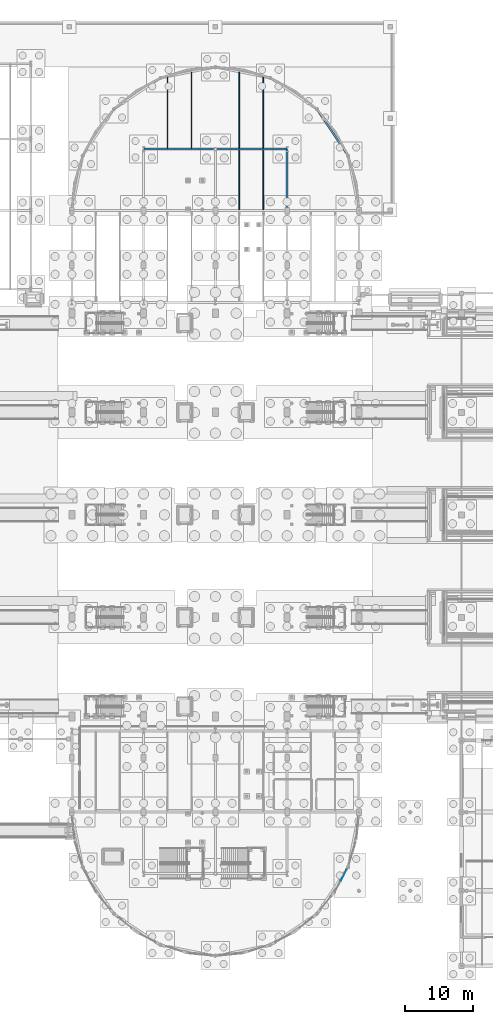
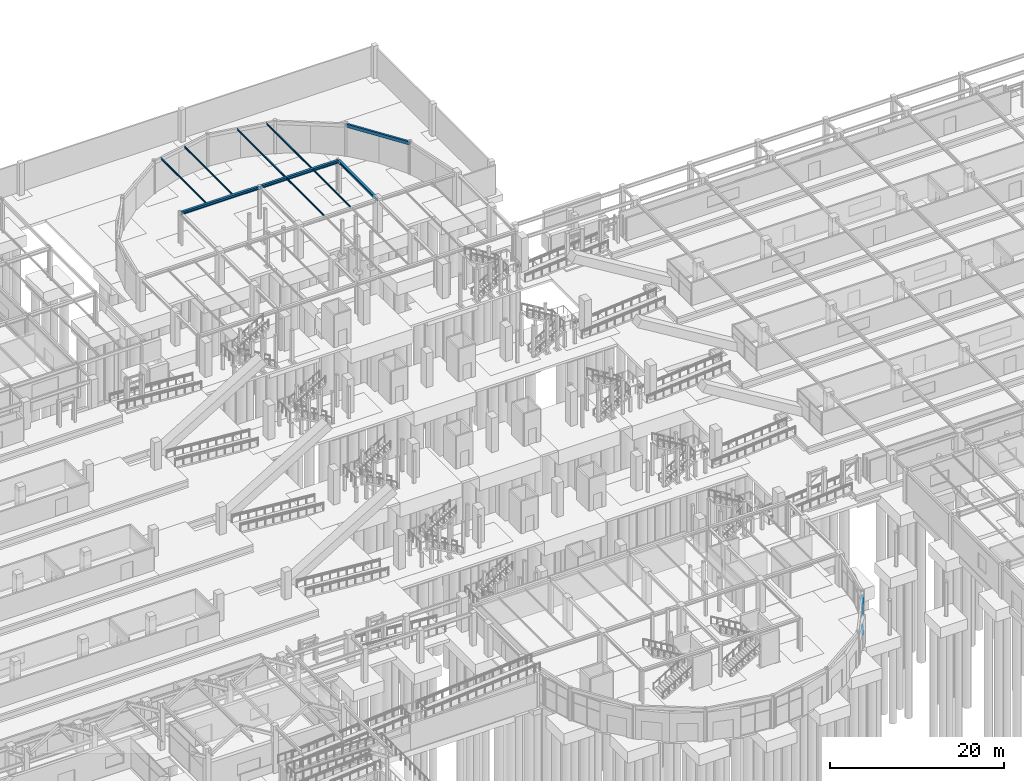
# One storey, part 76 of 160: 10 beams, 3 members, 1 element without a shape of its own.
"""IFC4 building model written with IfcOpenShell, lengths in metres."""

from ifc_helpers import new_model, si_unit, direction, frame, origin, origin_2d, place, context, subcontext, project, spatial, hollow_rectangle, i_section, extrude, material, layer, layer_set, material_profile, profile_set, type_object, element, aggregate, save


model = new_model("IFC4")

# Units and contexts
model_context = context("Model", 3, precision=1e-05, world=origin(), true_north=direction((0.0, 1.0)))
body_context = subcontext(model_context, "Body", "Model", "MODEL_VIEW")
ifc_project = project(units=[si_unit("LENGTHUNIT", "METRE"), si_unit("AREAUNIT", "SQUARE_METRE"), si_unit("VOLUMEUNIT", "CUBIC_METRE"), si_unit("PLANEANGLEUNIT", "RADIAN"), si_unit("MASSUNIT", "GRAM", prefix="KILO")], contexts=[model_context])

# Site, building, storey
site_placement = place(None, origin())
site = spatial("IfcSite", under=ifc_project, at=site_placement, CompositionType="ELEMENT")
building_placement = place(site_placement, origin())
building = spatial("IfcBuilding", under=site, at=building_placement, Name="Marlcrest Central Station", CompositionType="ELEMENT")
storey_placement = place(building_placement, origin())
storey = spatial("IfcBuildingStorey", under=building, at=storey_placement, Name="L00", CompositionType="ELEMENT", Elevation=0.0)

# Beams
ifc_material_1 = material(Name="Steel S355", Category="steel")
ifc_material_profile_1 = material_profile(ifc_material_1, i_section(OverallWidth=0.300048828125, OverallDepth=0.389892578125, WebThickness=0.010986328125, FlangeThickness=0.01904296875, FilletRadius=0.027099609375, at=origin_2d()), Name="HEA 400")
ifc_profile_set_1 = profile_set([ifc_material_profile_1], Name="Steel S355")
beam_type_1 = type_object("IfcBeamType", Name="BM-08", PredefinedType="BEAM", material=ifc_profile_set_1)
for number, where, z_axis, x_axis, name in (
    (1, (97.550048828125, 119.5, 4.324951171875), (1.0, 0.0, 0.0), (0.0, 1.0, 0.0), "bm-BM-08-L00-01426"),
    (2, (108.050048828125, 119.5, 4.324951171875), (1.0, 0.0, 0.0), (0.0, 1.0, 0.0), "bm-BM-08-L00-01427"),
):
    element("IfcBeam", number, at=place(storey_placement, frame(where, z_axis=z_axis, x_axis=x_axis)), inside=storey, type_object=beam_type_1, Name=name, PredefinedType="BEAM", context=body_context, shape_type="SweptSolid", body=[
        extrude(i_section(OverallWidth=0.300048828125, OverallDepth=0.389892578125, WebThickness=0.010986328125, FlangeThickness=0.01904296875, FilletRadius=0.027099609375, at=origin_2d()), origin(), (0.0, 0.0, 1.0), 10.39990234375),
    ])
beam_1_placement = place(storey_placement, frame((118.5, 110.550048828125, 4.324951171875), z_axis=(0.0, 1.0, 0.0), x_axis=(-1.0, 0.0, 0.0)))
element("IfcBeam", 3, at=beam_1_placement, inside=storey, type_object=beam_type_1, Name="bm-BM-08-L00-01434", PredefinedType="BEAM", context=body_context, shape_type="SweptSolid", body=[
    extrude(i_section(OverallWidth=0.300048828125, OverallDepth=0.389892578125, WebThickness=0.010986328125, FlangeThickness=0.01904296875, FilletRadius=0.027099609375, at=origin_2d()), origin(), (0.0, 0.0, 1.0), 8.89990234375),
])
ifc_material_profile_2 = material_profile(ifc_material_1, i_section(OverallWidth=0.110107421875, OverallDepth=0.219970703125, WebThickness=0.005859375, FlangeThickness=0.00927734375, FilletRadius=0.011962890625, at=origin_2d()), Name="IPE 220")
ifc_profile_set_2 = profile_set([ifc_material_profile_2], Name="Steel S355")
beam_type_2 = type_object("IfcBeamType", Name="JS-02", PredefinedType="JOIST", material=ifc_profile_set_2)
beam_2_placement = place(storey_placement, frame((101.0, 119.64794921875, 4.409912109375), z_axis=(0.0, 1.0, 0.0), x_axis=(-1.0, 0.0, 0.0)))
element("IfcBeam", 4, at=beam_2_placement, inside=storey, type_object=beam_type_2, Name="bm-JS-02-L00-01435", PredefinedType="JOIST", context=body_context, shape_type="SweptSolid", body=[
    extrude(i_section(OverallWidth=0.110107421875, OverallDepth=0.219970703125, WebThickness=0.005859375, FlangeThickness=0.00927734375, FilletRadius=0.011962890625, at=origin_2d()), origin(), (0.0, 0.0, 1.0), 10.419189453125),
])
for number, where, z_axis, x_axis, name in (
    (5, (104.5, 119.64794921875, 4.409912109375), (0.0, 1.0, 0.0), (-1.0, 0.0, 0.0), "bm-JS-02-L00-01436"),
    (6, (111.5, 119.64794921875, 4.409912109375), (0.0, 1.0, 0.0), (-1.0, 0.0, 0.0), "bm-JS-02-L00-01437"),
):
    element("IfcBeam", number, at=place(storey_placement, frame(where, z_axis=z_axis, x_axis=x_axis)), inside=storey, type_object=beam_type_2, Name=name, PredefinedType="JOIST", context=body_context, shape_type="SweptSolid", body=[
        extrude(i_section(OverallWidth=0.110107421875, OverallDepth=0.219970703125, WebThickness=0.005859375, FlangeThickness=0.00927734375, FilletRadius=0.011962890625, at=origin_2d()), origin(), (0.0, 0.0, 1.0), 11.11572265625),
    ])
beam_3_placement = place(storey_placement, frame((111.5, 110.64794921875, 4.409912109375), z_axis=(0.0, 1.0, 0.0), x_axis=(-1.0, 0.0, 0.0)))
element("IfcBeam", 7, at=beam_3_placement, inside=storey, type_object=beam_type_2, Name="bm-JS-02-L00-01438", PredefinedType="JOIST", context=body_context, shape_type="SweptSolid", body=[
    extrude(i_section(OverallWidth=0.110107421875, OverallDepth=0.219970703125, WebThickness=0.005859375, FlangeThickness=0.00927734375, FilletRadius=0.011962890625, at=origin_2d()), origin(), (0.0, 0.0, 1.0), 8.7041015625),
])
beam_4_placement = place(storey_placement, frame((115.0, 119.64794921875, 4.409912109375), z_axis=(0.0, 1.0, 0.0), x_axis=(-1.0, 0.0, 0.0)))
element("IfcBeam", 8, at=beam_4_placement, inside=storey, type_object=beam_type_2, Name="bm-JS-02-L00-01439", PredefinedType="JOIST", context=body_context, shape_type="SweptSolid", body=[
    extrude(i_section(OverallWidth=0.110107421875, OverallDepth=0.219970703125, WebThickness=0.005859375, FlangeThickness=0.00927734375, FilletRadius=0.011962890625, at=origin_2d()), origin(), (0.0, 0.0, 1.0), 10.419189453125),
])
beam_5_placement = place(storey_placement, frame((115.0, 110.64794921875, 4.409912109375), z_axis=(0.0, 1.0, 0.0), x_axis=(-1.0, 0.0, 0.0)))
element("IfcBeam", 9, at=beam_5_placement, inside=storey, type_object=beam_type_2, Name="bm-JS-02-L00-01440", PredefinedType="JOIST", context=body_context, shape_type="SweptSolid", body=[
    extrude(i_section(OverallWidth=0.110107421875, OverallDepth=0.219970703125, WebThickness=0.005859375, FlangeThickness=0.00927734375, FilletRadius=0.011962890625, at=origin_2d()), origin(), (0.0, 0.0, 1.0), 8.7041015625),
])
ifc_material_profile_3 = material_profile(ifc_material_1, hollow_rectangle(XDim=0.25, YDim=0.449951171875, WallThickness=0.01611328125, at=origin_2d()), Name="RHS 450x250x16")
ifc_profile_set_3 = profile_set([ifc_material_profile_3], Name="Steel S355")
beam_type_3 = type_object("IfcBeamType", Name="SP-02", PredefinedType="SPANDREL", material=ifc_profile_set_3)
beam_6_placement = place(storey_placement, frame((122.84912109375, 125.34912109375, 4.294921875), z_axis=(0.55551129271, -0.831508991937, 0.0), x_axis=(0.831508991937, 0.55551129271, 0.0)))
element("IfcBeam", 10, at=beam_6_placement, inside=storey, type_object=beam_type_3, Name="bm-SP-02-L00-01424", PredefinedType="SPANDREL", context=body_context, shape_type="SweptSolid", body=[
    extrude(hollow_rectangle(XDim=0.25, YDim=0.449951171875, WallThickness=0.01611328125, at=origin_2d()), origin(), (0.0, 0.0, 1.0), 8.19384765625),
])

# Curtain wall, members
ifc_material_2 = material(Name="Anodised aluminium and hurricane laminated glass", Category="aluminium")
ifc_layer = layer(ifc_material_2, 0.219970703125, Name="CW-U1")
ifc_layer_set = layer_set([ifc_layer], Name="Anodised aluminium and hurricane laminated glass")
curtain_wall_type = type_object("IfcCurtainWallType", Name="CW-U1", PredefinedType="USERDEFINED", material=ifc_layer_set)
curtain_wall_placement = place(storey_placement, origin())
curtain_wall = element("IfcCurtainWall", 11, at=curtain_wall_placement, inside=storey, type_object=curtain_wall_type, Name="cw-L00-0006", ObjectType="UNITISED_CURTAIN_WALL", PredefinedType="USERDEFINED")
ifc_material_3 = material(Name="Anodised aluminium 6063-T6", Category="aluminium")
ifc_material_profile_4 = material_profile(ifc_material_3, hollow_rectangle(XDim=0.06005859375, YDim=0.14990234375, WallThickness=0.00390625, at=origin_2d()), Name="AA-RHS 150x60x4")
ifc_profile_set_4 = profile_set([ifc_material_profile_4], Name="Anodised aluminium 6063-T6")
member_type = type_object("IfcMemberType", Name="TR-01", PredefinedType="USERDEFINED", material=ifc_profile_set_4)
member_1_placement = place(storey_placement, frame((127.192626953125, 14.07421875, 0.0400390625), z_axis=(-0.471160846124, -0.882047310001, 0.0), x_axis=(0.882047310001, -0.471160846124, 0.0)))
member_1 = element("IfcMember", 12, at=member_1_placement, type_object=member_type, Name="cw-L00-0006-tr-0-sill", ObjectType="TRANSOM", PredefinedType="USERDEFINED", context=body_context, shape_type="SweptSolid", body=[
    extrude(hollow_rectangle(XDim=0.06005859375, YDim=0.14990234375, WallThickness=0.00390625, at=origin_2d()), origin(), (0.0, 0.0, 1.0), 1.77001953125),
])
member_2_placement = place(storey_placement, frame((127.192626953125, 14.07421875, 2.6650390625), z_axis=(-0.471160846124, -0.882047310001, 0.0), x_axis=(0.882047310001, -0.471160846124, 0.0)))
member_2 = element("IfcMember", 13, at=member_2_placement, type_object=member_type, Name="cw-L00-0006-tr-0-mid", ObjectType="TRANSOM", PredefinedType="USERDEFINED", context=body_context, shape_type="SweptSolid", body=[
    extrude(hollow_rectangle(XDim=0.06005859375, YDim=0.14990234375, WallThickness=0.00390625, at=origin_2d()), origin(), (0.0, 0.0, 1.0), 1.77001953125),
])
member_3_placement = place(storey_placement, frame((127.192626953125, 14.07421875, 4.06005859375), z_axis=(-0.471160846124, -0.882047310001, 0.0), x_axis=(0.882047310001, -0.471160846124, 0.0)))
member_3 = element("IfcMember", 14, at=member_3_placement, type_object=member_type, Name="cw-L00-0006-tr-0-head", ObjectType="TRANSOM", PredefinedType="USERDEFINED", context=body_context, shape_type="SweptSolid", body=[
    extrude(hollow_rectangle(XDim=0.06005859375, YDim=0.14990234375, WallThickness=0.00390625, at=origin_2d()), origin(), (0.0, 0.0, 1.0), 1.77001953125),
])
aggregate(curtain_wall, [member_1, member_2, member_3])

save(model, "model.ifc")
